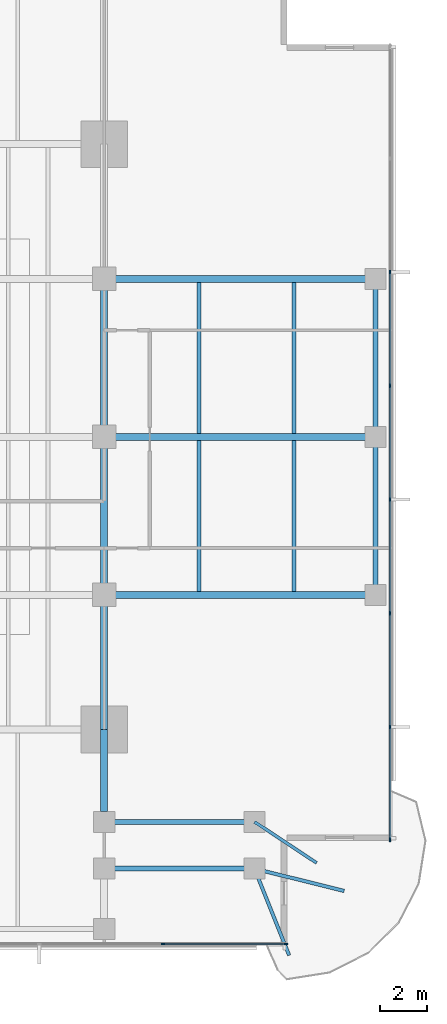
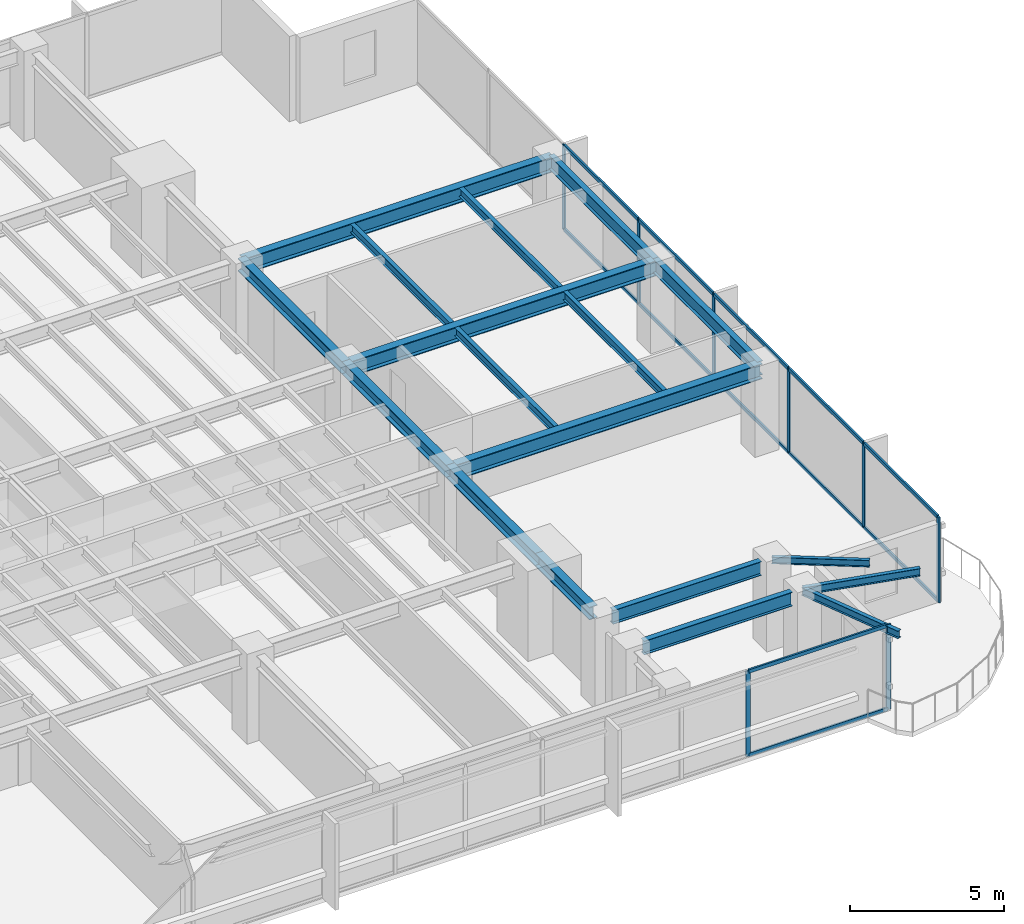
# One storey, part 4 of 15: 20 members, 18 beams, 2 elements without a shape of their own.
"""IFC4 building model written with IfcOpenShell, lengths in metres."""

from ifc_helpers import new_model, si_unit, direction, frame, origin, origin_2d, place, context, subcontext, project, spatial, rectangle, i_section, extrude, material, layer, layer_set, material_profile, profile_set, type_object, element, aggregate, save


model = new_model("IFC4")

# Units and contexts
model_context = context("Model", 3, precision=1e-05, world=origin(), true_north=direction((0.0, 1.0)))
body_context = subcontext(model_context, "Body", "Model", "MODEL_VIEW")
ifc_project = project(units=[si_unit("LENGTHUNIT", "METRE"), si_unit("AREAUNIT", "SQUARE_METRE"), si_unit("VOLUMEUNIT", "CUBIC_METRE"), si_unit("PLANEANGLEUNIT", "RADIAN"), si_unit("MASSUNIT", "GRAM", prefix="KILO")], contexts=[model_context])

# Site, building, storey
site_placement = place(None, origin())
site = spatial("IfcSite", under=ifc_project, at=site_placement, CompositionType="ELEMENT")
building_placement = place(site_placement, origin())
building = spatial("IfcBuilding", under=site, at=building_placement, Name="Kinhvarn Gate Tower", CompositionType="ELEMENT")
storey_placement = place(building_placement, frame((0.0, 0.0, 109.35009765625)))
storey = spatial("IfcBuildingStorey", under=building, at=storey_placement, Name="L28", CompositionType="ELEMENT", Elevation=109.35009765625)

# Curtain wall, members
ifc_material_1 = material(Name="Anodised aluminium AW-6063", Category="aluminium")
ifc_layer = layer(ifc_material_1, 0.179931640625)
ifc_layer_set = layer_set([ifc_layer], Name="Anodised aluminium AW-6063")
curtain_wall_type = type_object("IfcCurtainWallType", Name="CW-SYS-3", PredefinedType="NOTDEFINED", material=ifc_layer_set)
curtain_wall_1_placement = place(storey_placement, origin())
curtain_wall_1 = element("IfcCurtainWall", 1, at=curtain_wall_1_placement, inside=storey, type_object=curtain_wall_type, Name="Curtain Wall CW3 (L28)", PredefinedType="NOTDEFINED")
ifc_material_profile_1 = material_profile(ifc_material_1, rectangle(XDim=0.06494140625, YDim=0.159912109375, at=origin_2d()), Name="ALU 65x160")
ifc_profile_set_1 = profile_set([ifc_material_profile_1], Name="Anodised aluminium AW-6063")
member_type_1 = type_object("IfcMemberType", Name="CW-MUL-160", PredefinedType="MULLION", material=ifc_profile_set_1)
member_1_placement = place(storey_placement, frame((40.71435546875, 3.590087890625, 0.0), z_axis=(0.0, 0.0, 1.0), x_axis=(0.0, 1.0, 0.0)))
member_1 = element("IfcMember", 2, at=member_1_placement, type_object=member_type_1, Name="CW3 mullion 7", PredefinedType="MULLION", context=body_context, shape_type="SweptSolid", body=[
    extrude(rectangle(XDim=0.06494140625, YDim=0.159912109375, at=origin_2d()), origin(), (0.0, 0.0, 1.0), 3.369873046875),
])
member_2_placement = place(storey_placement, frame((45.967529296875, 3.590087890625, 0.0), z_axis=(0.0, 0.0, 1.0), x_axis=(0.0, 1.0, 0.0)))
member_2 = element("IfcMember", 3, at=member_2_placement, type_object=member_type_1, Name="CW3 mullion 8", PredefinedType="MULLION", context=body_context, shape_type="SweptSolid", body=[
    extrude(rectangle(XDim=0.06494140625, YDim=0.159912109375, at=origin_2d()), origin(), (0.0, 0.0, 1.0), 3.369873046875),
])

curtain_wall_2_placement = place(storey_placement, origin())
curtain_wall_2 = element("IfcCurtainWall", 4, at=curtain_wall_2_placement, inside=storey, type_object=curtain_wall_type, Name="Curtain Wall CW3 (L28)", PredefinedType="NOTDEFINED")
member_3_placement = place(storey_placement, frame((50.409912109375, 8.032470703125, 0.0), z_axis=(0.0, 0.0, 1.0), x_axis=(-1.0, 0.0, 0.0)))
member_3 = element("IfcMember", 5, at=member_3_placement, type_object=member_type_1, Name="CW3 mullion 1", PredefinedType="MULLION", context=body_context, shape_type="SweptSolid", body=[
    extrude(rectangle(XDim=0.06494140625, YDim=0.159912109375, at=origin_2d()), origin(), (0.0, 0.0, 1.0), 3.369873046875),
])
member_4_placement = place(storey_placement, frame((50.409912109375, 12.857177734375, 0.0), z_axis=(0.0, 0.0, 1.0), x_axis=(-1.0, 0.0, 0.0)))
member_4 = element("IfcMember", 6, at=member_4_placement, type_object=member_type_1, Name="CW3 mullion 2", PredefinedType="MULLION", context=body_context, shape_type="SweptSolid", body=[
    extrude(rectangle(XDim=0.06494140625, YDim=0.159912109375, at=origin_2d()), origin(), (0.0, 0.0, 1.0), 3.369873046875),
])
member_5_placement = place(storey_placement, frame((50.409912109375, 17.71435546875, 0.0), z_axis=(0.0, 0.0, 1.0), x_axis=(-1.0, 0.0, 0.0)))
member_5 = element("IfcMember", 7, at=member_5_placement, type_object=member_type_1, Name="CW3 mullion 3", PredefinedType="MULLION", context=body_context, shape_type="SweptSolid", body=[
    extrude(rectangle(XDim=0.06494140625, YDim=0.159912109375, at=origin_2d()), origin(), (0.0, 0.0, 1.0), 3.369873046875),
])
member_6_placement = place(storey_placement, frame((50.409912109375, 22.571533203125, 0.0), z_axis=(0.0, 0.0, 1.0), x_axis=(-1.0, 0.0, 0.0)))
member_6 = element("IfcMember", 8, at=member_6_placement, type_object=member_type_1, Name="CW3 mullion 4", PredefinedType="MULLION", context=body_context, shape_type="SweptSolid", body=[
    extrude(rectangle(XDim=0.06494140625, YDim=0.159912109375, at=origin_2d()), origin(), (0.0, 0.0, 1.0), 3.369873046875),
])
member_7_placement = place(storey_placement, frame((50.409912109375, 27.428466796875, 0.0), z_axis=(0.0, 0.0, 1.0), x_axis=(-1.0, 0.0, 0.0)))
member_7 = element("IfcMember", 9, at=member_7_placement, type_object=member_type_1, Name="CW3 mullion 5", PredefinedType="MULLION", context=body_context, shape_type="SweptSolid", body=[
    extrude(rectangle(XDim=0.06494140625, YDim=0.159912109375, at=origin_2d()), origin(), (0.0, 0.0, 1.0), 3.369873046875),
])
member_8_placement = place(storey_placement, frame((50.409912109375, 32.28564453125, 0.0), z_axis=(0.0, 0.0, 1.0), x_axis=(-1.0, 0.0, 0.0)))
member_8 = element("IfcMember", 10, at=member_8_placement, type_object=member_type_1, Name="CW3 mullion 6", PredefinedType="MULLION", context=body_context, shape_type="SweptSolid", body=[
    extrude(rectangle(XDim=0.06494140625, YDim=0.159912109375, at=origin_2d()), origin(), (0.0, 0.0, 1.0), 3.369873046875),
])

# Member
ifc_material_profile_2 = material_profile(ifc_material_1, rectangle(XDim=0.070068359375, YDim=0.139892578125, at=origin_2d()), Name="ALU 70x140")
ifc_profile_set_2 = profile_set([ifc_material_profile_2], Name="Anodised aluminium AW-6063")
member_type_2 = type_object("IfcMemberType", Name="CW-TRN-140", PredefinedType="USERDEFINED", material=ifc_profile_set_2)
member_9_placement = place(storey_placement, frame((40.746826171875, 3.590087890625, 0.034912109375), z_axis=(1.0, 0.0, 0.0), x_axis=(0.0, 1.0, 0.0)))
member_9 = element("IfcMember", 11, at=member_9_placement, type_object=member_type_2, Name="CW3 transom 7.1", ObjectType="TRANSOM", PredefinedType="USERDEFINED", context=body_context, shape_type="SweptSolid", body=[
    extrude(rectangle(XDim=0.070068359375, YDim=0.139892578125, at=origin_2d()), origin(), (0.0, 0.0, 1.0), 5.188232421875),
])

member_10_placement = place(storey_placement, frame((40.746826171875, 3.590087890625, 3.3349609375), z_axis=(1.0, 0.0, 0.0), x_axis=(0.0, 1.0, 0.0)))
member_10 = element("IfcMember", 12, at=member_10_placement, type_object=member_type_2, Name="CW3 transom 7.2", ObjectType="TRANSOM", PredefinedType="USERDEFINED", context=body_context, shape_type="SweptSolid", body=[
    extrude(rectangle(XDim=0.070068359375, YDim=0.139892578125, at=origin_2d()), origin(), (0.0, 0.0, 1.0), 5.188232421875),
])

aggregate(curtain_wall_1, [member_1, member_2, member_9, member_10])

member_11_placement = place(storey_placement, frame((50.409912109375, 8.06494140625, 0.034912109375), z_axis=(0.0, 1.0, 0.0), x_axis=(-1.0, 0.0, 0.0)))
member_11 = element("IfcMember", 13, at=member_11_placement, type_object=member_type_2, Name="CW3 transom 1.1", ObjectType="TRANSOM", PredefinedType="USERDEFINED", context=body_context, shape_type="SweptSolid", body=[
    extrude(rectangle(XDim=0.070068359375, YDim=0.139892578125, at=origin_2d()), origin(), (0.0, 0.0, 1.0), 4.759765625),
])

member_12_placement = place(storey_placement, frame((50.409912109375, 8.06494140625, 3.3349609375), z_axis=(0.0, 1.0, 0.0), x_axis=(-1.0, 0.0, 0.0)))
member_12 = element("IfcMember", 14, at=member_12_placement, type_object=member_type_2, Name="CW3 transom 1.2", ObjectType="TRANSOM", PredefinedType="USERDEFINED", context=body_context, shape_type="SweptSolid", body=[
    extrude(rectangle(XDim=0.070068359375, YDim=0.139892578125, at=origin_2d()), origin(), (0.0, 0.0, 1.0), 4.759765625),
])

member_13_placement = place(storey_placement, frame((50.409912109375, 12.8896484375, 0.034912109375), z_axis=(0.0, 1.0, 0.0), x_axis=(-1.0, 0.0, 0.0)))
member_13 = element("IfcMember", 15, at=member_13_placement, type_object=member_type_2, Name="CW3 transom 2.1", ObjectType="TRANSOM", PredefinedType="USERDEFINED", context=body_context, shape_type="SweptSolid", body=[
    extrude(rectangle(XDim=0.070068359375, YDim=0.139892578125, at=origin_2d()), origin(), (0.0, 0.0, 1.0), 4.792236328125),
])

member_14_placement = place(storey_placement, frame((50.409912109375, 12.8896484375, 3.3349609375), z_axis=(0.0, 1.0, 0.0), x_axis=(-1.0, 0.0, 0.0)))
member_14 = element("IfcMember", 16, at=member_14_placement, type_object=member_type_2, Name="CW3 transom 2.2", ObjectType="TRANSOM", PredefinedType="USERDEFINED", context=body_context, shape_type="SweptSolid", body=[
    extrude(rectangle(XDim=0.070068359375, YDim=0.139892578125, at=origin_2d()), origin(), (0.0, 0.0, 1.0), 4.792236328125),
])

member_15_placement = place(storey_placement, frame((50.409912109375, 17.746826171875, 0.034912109375), z_axis=(0.0, 1.0, 0.0), x_axis=(-1.0, 0.0, 0.0)))
member_15 = element("IfcMember", 17, at=member_15_placement, type_object=member_type_2, Name="CW3 transom 3.1", ObjectType="TRANSOM", PredefinedType="USERDEFINED", context=body_context, shape_type="SweptSolid", body=[
    extrude(rectangle(XDim=0.070068359375, YDim=0.139892578125, at=origin_2d()), origin(), (0.0, 0.0, 1.0), 4.7919921875),
])

member_16_placement = place(storey_placement, frame((50.409912109375, 17.746826171875, 3.3349609375), z_axis=(0.0, 1.0, 0.0), x_axis=(-1.0, 0.0, 0.0)))
member_16 = element("IfcMember", 18, at=member_16_placement, type_object=member_type_2, Name="CW3 transom 3.2", ObjectType="TRANSOM", PredefinedType="USERDEFINED", context=body_context, shape_type="SweptSolid", body=[
    extrude(rectangle(XDim=0.070068359375, YDim=0.139892578125, at=origin_2d()), origin(), (0.0, 0.0, 1.0), 4.7919921875),
])

member_17_placement = place(storey_placement, frame((50.409912109375, 22.60400390625, 0.034912109375), z_axis=(0.0, 1.0, 0.0), x_axis=(-1.0, 0.0, 0.0)))
member_17 = element("IfcMember", 19, at=member_17_placement, type_object=member_type_2, Name="CW3 transom 4.1", ObjectType="TRANSOM", PredefinedType="USERDEFINED", context=body_context, shape_type="SweptSolid", body=[
    extrude(rectangle(XDim=0.070068359375, YDim=0.139892578125, at=origin_2d()), origin(), (0.0, 0.0, 1.0), 4.7919921875),
])

member_18_placement = place(storey_placement, frame((50.409912109375, 22.60400390625, 3.3349609375), z_axis=(0.0, 1.0, 0.0), x_axis=(-1.0, 0.0, 0.0)))
member_18 = element("IfcMember", 20, at=member_18_placement, type_object=member_type_2, Name="CW3 transom 4.2", ObjectType="TRANSOM", PredefinedType="USERDEFINED", context=body_context, shape_type="SweptSolid", body=[
    extrude(rectangle(XDim=0.070068359375, YDim=0.139892578125, at=origin_2d()), origin(), (0.0, 0.0, 1.0), 4.7919921875),
])

member_19_placement = place(storey_placement, frame((50.409912109375, 27.461181640625, 0.034912109375), z_axis=(0.0, 1.0, 0.0), x_axis=(-1.0, 0.0, 0.0)))
member_19 = element("IfcMember", 21, at=member_19_placement, type_object=member_type_2, Name="CW3 transom 5.1", ObjectType="TRANSOM", PredefinedType="USERDEFINED", context=body_context, shape_type="SweptSolid", body=[
    extrude(rectangle(XDim=0.070068359375, YDim=0.139892578125, at=origin_2d()), origin(), (0.0, 0.0, 1.0), 4.7919921875),
])

member_20_placement = place(storey_placement, frame((50.409912109375, 27.461181640625, 3.3349609375), z_axis=(0.0, 1.0, 0.0), x_axis=(-1.0, 0.0, 0.0)))
member_20 = element("IfcMember", 22, at=member_20_placement, type_object=member_type_2, Name="CW3 transom 5.2", ObjectType="TRANSOM", PredefinedType="USERDEFINED", context=body_context, shape_type="SweptSolid", body=[
    extrude(rectangle(XDim=0.070068359375, YDim=0.139892578125, at=origin_2d()), origin(), (0.0, 0.0, 1.0), 4.7919921875),
])

aggregate(curtain_wall_2, [member_3, member_4, member_5, member_6, member_7, member_8, member_11, member_12, member_13, member_14, member_15, member_16, member_17, member_18, member_19, member_20])

# Beams
ifc_material_2 = material(Name="Steel S355", Category="steel")
ifc_material_profile_3 = material_profile(ifc_material_2, i_section(OverallWidth=0.300048828125, OverallDepth=0.5, WebThickness=0.014404296875, FlangeThickness=0.028076171875, at=origin_2d()), Name="HEB 500")
ifc_profile_set_3 = profile_set([ifc_material_profile_3], Name="Steel S355")
beam_type_1 = type_object("IfcBeamType", Name="STL-HEB500", PredefinedType="BEAM", material=ifc_profile_set_3)
beam_1_placement = place(storey_placement, frame((38.199951171875, 9.235107421875, 3.119873046875), z_axis=(0.0, 1.0, 0.0), x_axis=(-1.0, 0.0, 0.0)))
element("IfcBeam", 23, at=beam_1_placement, inside=storey, type_object=beam_type_1, Name="Floor Beam PG-14 (L28 MCE-S-A2)", PredefinedType="BEAM", context=body_context, shape_type="SweptSolid", body=[
    extrude(i_section(OverallWidth=0.300048828125, OverallDepth=0.5, WebThickness=0.014404296875, FlangeThickness=0.028076171875, at=origin_2d()), origin(), (0.0, 0.0, 1.0), 3.514892578125),
])
beam_2_placement = place(storey_placement, frame((38.199951171875, 12.75, 3.119873046875), z_axis=(0.0, 1.0, 0.0), x_axis=(-1.0, 0.0, 0.0)))
element("IfcBeam", 24, at=beam_2_placement, inside=storey, type_object=beam_type_1, Name="Floor Beam PG-14 (L28 MG-E-12)", PredefinedType="BEAM", context=body_context, shape_type="SweptSolid", body=[
    extrude(i_section(OverallWidth=0.300048828125, OverallDepth=0.5, WebThickness=0.014404296875, FlangeThickness=0.028076171875, at=origin_2d()), origin(), (0.0, 0.0, 1.0), 5.75),
])
for number, where, z_axis, x_axis, name in (
    (25, (38.199951171875, 18.5, 3.119873046875), (0.0, 1.0, 0.0), (-1.0, 0.0, 0.0), "Floor Beam PG-14 (L28 MG-E-18)"),
    (26, (38.199951171875, 25.25, 3.119873046875), (0.0, 1.0, 0.0), (-1.0, 0.0, 0.0), "Floor Beam PG-14 (L28 MG-E-25)"),
):
    element("IfcBeam", number, at=place(storey_placement, frame(where, z_axis=z_axis, x_axis=x_axis)), inside=storey, type_object=beam_type_1, Name=name, PredefinedType="BEAM", context=body_context, shape_type="SweptSolid", body=[
        extrude(i_section(OverallWidth=0.300048828125, OverallDepth=0.5, WebThickness=0.014404296875, FlangeThickness=0.028076171875, at=origin_2d()), origin(), (0.0, 0.0, 1.0), 6.75),
    ])
ifc_material_profile_4 = material_profile(ifc_material_2, i_section(OverallWidth=0.300048828125, OverallDepth=0.60009765625, WebThickness=0.015380859375, FlangeThickness=0.030029296875, at=origin_2d()), Name="HEB 600")
ifc_profile_set_4 = profile_set([ifc_material_profile_4], Name="Steel S355")
beam_type_2 = type_object("IfcBeamType", Name="STL-HEB600", PredefinedType="BEAM", material=ifc_profile_set_4)
for number, where, z_axis, x_axis, name in (
    (27, (38.199951171875, 18.5, 3.06982421875), (1.0, 0.0, 0.0), (0.0, 1.0, 0.0), "Floor Beam PG-16 (L28 EW2-Y18)"),
    (28, (38.199951171875, 25.25, 3.06982421875), (1.0, 0.0, 0.0), (0.0, 1.0, 0.0), "Floor Beam PG-16 (L28 EW2-Y25)"),
    (29, (38.199951171875, 32.0, 3.06982421875), (1.0, 0.0, 0.0), (0.0, 1.0, 0.0), "Floor Beam PG-16 (L28 EW2-Y32)"),
):
    element("IfcBeam", number, at=place(storey_placement, frame(where, z_axis=z_axis, x_axis=x_axis)), inside=storey, type_object=beam_type_2, Name=name, PredefinedType="BEAM", context=body_context, shape_type="SweptSolid", body=[
        extrude(i_section(OverallWidth=0.300048828125, OverallDepth=0.60009765625, WebThickness=0.015380859375, FlangeThickness=0.030029296875, at=origin_2d()), origin(), (0.0, 0.0, 1.0), 11.580078125),
    ])
ifc_material_profile_5 = material_profile(ifc_material_2, i_section(OverallWidth=0.135009765625, OverallDepth=0.27001953125, WebThickness=0.006591796875, FlangeThickness=0.01025390625, at=origin_2d()), Name="IPE 270")
ifc_profile_set_5 = profile_set([ifc_material_profile_5], Name="Steel S355")
beam_type_3 = type_object("IfcBeamType", Name="STL-IPE270", PredefinedType="JOIST", material=ifc_profile_set_5)
beam_3_placement = place(storey_placement, frame((44.6201171875, 8.800048828125, 3.23486328125), z_axis=(0.834455271211, -0.5510756757, 0.0), x_axis=(0.5510756757, 0.834455271211, 0.0)))
element("IfcBeam", 30, at=beam_3_placement, inside=storey, type_object=beam_type_3, Name="Floor Joist SB-01 (L28 BAL-B3-L29)", PredefinedType="JOIST", context=body_context, shape_type="SweptSolid", body=[
    extrude(i_section(OverallWidth=0.135009765625, OverallDepth=0.27001953125, WebThickness=0.006591796875, FlangeThickness=0.01025390625, at=origin_2d()), origin(), (0.0, 0.0, 1.0), 3.175537109375),
])
ifc_material_profile_6 = material_profile(ifc_material_2, i_section(OverallWidth=0.14990234375, OverallDepth=0.300048828125, WebThickness=0.007080078125, FlangeThickness=0.0107421875, at=origin_2d()), Name="IPE 300")
ifc_profile_set_6 = profile_set([ifc_material_profile_6], Name="Steel S355")
beam_type_4 = type_object("IfcBeamType", Name="STL-IPE300", PredefinedType="JOIST", material=ifc_profile_set_6)
beam_4_placement = place(storey_placement, frame((44.6201171875, 6.800048828125, 3.219970703125), z_axis=(0.97058851083, -0.240744558911, 0.0), x_axis=(0.240744558911, 0.97058851083, 0.0)))
element("IfcBeam", 31, at=beam_4_placement, inside=storey, type_object=beam_type_4, Name="Floor Joist SB-02 (L28 BAL-B1-L29)", PredefinedType="JOIST", context=body_context, shape_type="SweptSolid", body=[
    extrude(i_section(OverallWidth=0.14990234375, OverallDepth=0.300048828125, WebThickness=0.007080078125, FlangeThickness=0.0107421875, at=origin_2d()), origin(), (0.0, 0.0, 1.0), 3.94580078125),
])
beam_5_placement = place(storey_placement, frame((44.6201171875, 6.800048828125, 3.219970703125), z_axis=(0.371390676354, -0.928476690885, 0.0), x_axis=(0.928476690885, 0.371390676354, 0.0)))
element("IfcBeam", 32, at=beam_5_placement, inside=storey, type_object=beam_type_4, Name="Floor Joist SB-02 (L28 BAL-B2-L29)", PredefinedType="JOIST", context=body_context, shape_type="SweptSolid", body=[
    extrude(i_section(OverallWidth=0.14990234375, OverallDepth=0.300048828125, WebThickness=0.007080078125, FlangeThickness=0.0107421875, at=origin_2d()), origin(), (0.0, 0.0, 1.0), 3.98486328125),
])
ifc_material_profile_7 = material_profile(ifc_material_2, i_section(OverallWidth=0.159912109375, OverallDepth=0.330078125, WebThickness=0.007568359375, FlangeThickness=0.011474609375, at=origin_2d()), Name="IPE 330")
ifc_profile_set_7 = profile_set([ifc_material_profile_7], Name="Steel S355")
beam_type_5 = type_object("IfcBeamType", Name="STL-IPE330", PredefinedType="JOIST", material=ifc_profile_set_7)
for number, where, z_axis, x_axis, name in (
    (33, (42.25, 18.64990234375, 3.204833984375), (0.0, 1.0, 0.0), (-1.0, 0.0, 0.0), "Floor Joist SB-03 (L28 JC-X422-1)"),
    (34, (42.25, 25.39990234375, 3.204833984375), (0.0, 1.0, 0.0), (-1.0, 0.0, 0.0), "Floor Joist SB-03 (L28 JC-X422-2)"),
    (35, (46.31005859375, 18.64990234375, 3.204833984375), (0.0, 1.0, 0.0), (-1.0, 0.0, 0.0), "Floor Joist SB-03 (L28 JC-X463-1)"),
    (36, (46.31005859375, 25.39990234375, 3.204833984375), (0.0, 1.0, 0.0), (-1.0, 0.0, 0.0), "Floor Joist SB-03 (L28 JC-X463-2)"),
):
    element("IfcBeam", number, at=place(storey_placement, frame(where, z_axis=z_axis, x_axis=x_axis)), inside=storey, type_object=beam_type_5, Name=name, PredefinedType="JOIST", context=body_context, shape_type="SweptSolid", body=[
        extrude(i_section(OverallWidth=0.159912109375, OverallDepth=0.330078125, WebThickness=0.007568359375, FlangeThickness=0.011474609375, at=origin_2d()), origin(), (0.0, 0.0, 1.0), 6.4501953125),
    ])
ifc_material_profile_8 = material_profile(ifc_material_2, i_section(OverallWidth=0.2099609375, OverallDepth=0.550048828125, WebThickness=0.010986328125, FlangeThickness=0.01708984375, at=origin_2d()), Name="IPE 550")
ifc_profile_set_8 = profile_set([ifc_material_profile_8], Name="Steel S355")
beam_type_6 = type_object("IfcBeamType", Name="STL-IPE550", PredefinedType="SPANDREL", material=ifc_profile_set_8)
for number, where, z_axis, x_axis, name in (
    (37, (38.635009765625, 8.800048828125, 3.094970703125), (1.0, 0.0, 0.0), (0.0, 1.0, 0.0), "Floor Spandrel SB-08 (L28 SP-SE2)"),
    (38, (38.635009765625, 6.800048828125, 3.094970703125), (1.0, 0.0, 0.0), (0.0, 1.0, 0.0), "Floor Spandrel SB-08 (L28 SP-SE2-S)"),
):
    element("IfcBeam", number, at=place(storey_placement, frame(where, z_axis=z_axis, x_axis=x_axis)), inside=storey, type_object=beam_type_6, Name=name, PredefinedType="SPANDREL", context=body_context, shape_type="SweptSolid", body=[
        extrude(i_section(OverallWidth=0.2099609375, OverallDepth=0.550048828125, WebThickness=0.010986328125, FlangeThickness=0.01708984375, at=origin_2d()), origin(), (0.0, 0.0, 1.0), 5.550048828125),
    ])
for number, where, z_axis, x_axis, name in (
    (39, (49.780029296875, 18.5, 3.094970703125), (0.0, 1.0, 0.0), (-1.0, 0.0, 0.0), "Floor Spandrel SB-08 (L28 SP-E2)"),
    (40, (49.780029296875, 25.25, 3.094970703125), (0.0, 1.0, 0.0), (-1.0, 0.0, 0.0), "Floor Spandrel SB-08 (L28 SP-E3)"),
):
    element("IfcBeam", number, at=place(storey_placement, frame(where, z_axis=z_axis, x_axis=x_axis)), inside=storey, type_object=beam_type_6, Name=name, PredefinedType="SPANDREL", context=body_context, shape_type="SweptSolid", body=[
        extrude(i_section(OverallWidth=0.2099609375, OverallDepth=0.550048828125, WebThickness=0.010986328125, FlangeThickness=0.01708984375, at=origin_2d()), origin(), (0.0, 0.0, 1.0), 6.75),
    ])

save(model, "model.ifc")
